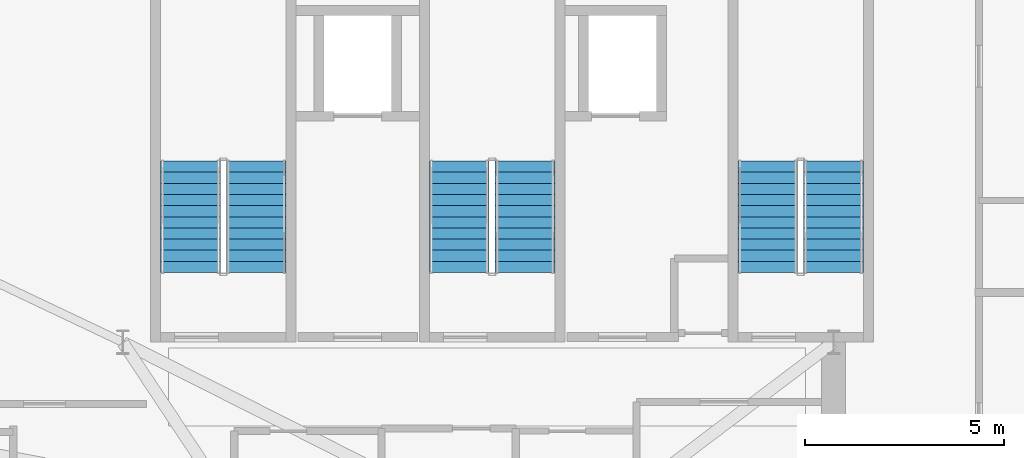
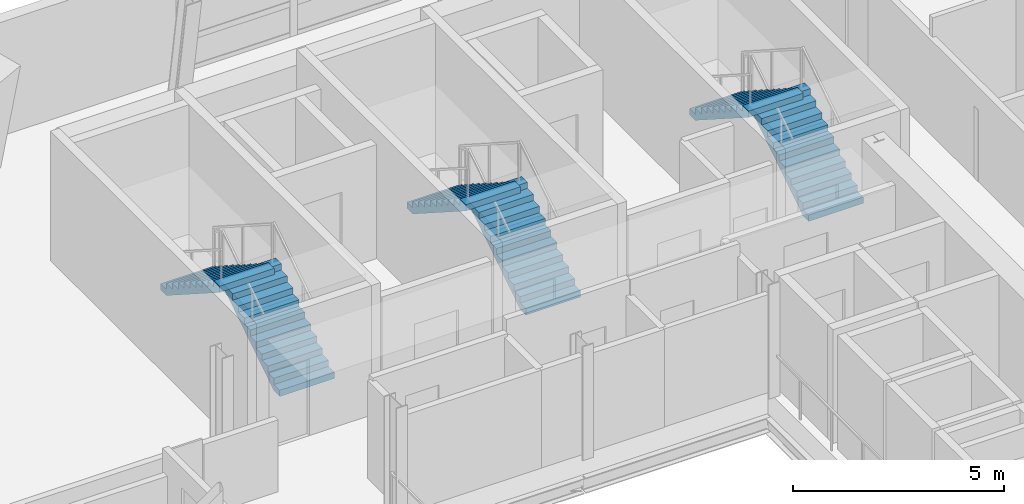
# One storey, part 10 of 13: 6 stair flights, 3 elements without a shape of their own.
"""IFC4 building model written with IfcOpenShell, lengths in metres."""

from ifc_helpers import new_model, si_unit, direction, frame, origin, place, context, subcontext, project, spatial, polyline, outline, extrude, source, transform, mapped, material, type_object, element, aggregate, save


model = new_model("IFC4")

# Units and contexts
model_context = context("Model", 3, precision=1e-05, world=origin(), true_north=direction((0.0, 1.0)))
body_context = subcontext(model_context, "Body", "Model", "MODEL_VIEW")
ifc_project = project(units=[si_unit("LENGTHUNIT", "METRE"), si_unit("AREAUNIT", "SQUARE_METRE"), si_unit("VOLUMEUNIT", "CUBIC_METRE"), si_unit("PLANEANGLEUNIT", "RADIAN"), si_unit("MASSUNIT", "GRAM", prefix="KILO")], contexts=[model_context])

# Site, building, storey
site_placement = place(None, origin())
site = spatial("IfcSite", under=ifc_project, at=site_placement, CompositionType="ELEMENT")
building_placement = place(site_placement, origin())
building = spatial("IfcBuilding", under=site, at=building_placement, Name="Vardaveli Station Tower", CompositionType="ELEMENT")
storey_placement = place(building_placement, frame((0.0, 0.0, 278.25)))
storey = spatial("IfcBuildingStorey", under=building, at=storey_placement, Name="L71", CompositionType="ELEMENT", Elevation=278.25)

# Stair, stair flights
ifc_material = material(Name="Concrete C40/50", Category="concrete")
stair_type = type_object("IfcStairType", Name="STR-CORE-1500", PredefinedType="HALF_TURN_STAIR", material=ifc_material)
stair_1_placement = place(storey_placement, origin())
stair_1 = element("IfcStair", 1, at=stair_1_placement, inside=storey, type_object=stair_type, Name="L71 ST-1", PredefinedType="HALF_TURN_STAIR")
stair_flight_type = type_object("IfcStairFlightType", Name="SFL-CORE-1500", PredefinedType="STRAIGHT", material=ifc_material)
shared_shape = source(origin(), body_context, "Body", "SweptSolid", [
    extrude(outline(polyline([(0.0, 0.0), (0.0, 0.179443359375), (0.280029296875, 0.179443359375), (0.280029296875, 0.359130859375), (0.56005859375, 0.359130859375), (0.56005859375, 0.53857421875), (0.840087890625, 0.53857421875), (0.840087890625, 0.71826171875), (1.1201171875, 0.71826171875), (1.1201171875, 0.897705078125), (1.39990234375, 0.897705078125), (1.39990234375, 1.077392578125), (1.679931640625, 1.077392578125), (1.679931640625, 1.2568359375), (1.9599609375, 1.2568359375), (1.9599609375, 1.436279296875), (2.239990234375, 1.436279296875), (2.239990234375, 1.615966796875), (2.52001953125, 1.615966796875), (2.52001953125, 1.79541015625), (2.800048828125, 1.79541015625), (2.800048828125, 1.97509765625), (2.800048828125, 1.617431640625), (0.277587890625, 0.0), (0.0, 0.0)])), frame((0.0, 0.75, 0.0), z_axis=(0.0, -1.0, 0.0), x_axis=(1.0, 0.0, 0.0)), (0.0, 0.0, 1.0), 1.5),
])
stair_flight_1_placement = place(storey_placement, frame((32.0, 32.39990234375, 0.0), z_axis=(0.0, 0.0, 1.0), x_axis=(0.0, 1.0, 0.0)))
stair_flight_1 = element("IfcStairFlight", 2, at=stair_flight_1_placement, type_object=stair_flight_type, Name="ST-1 flight 1", NumberOfRisers=11, NumberOfTreads=10, PredefinedType="STRAIGHT", RiserHeight=0.179545455, TreadLength=0.28, context=body_context, shape_type="MappedRepresentation", body=[
    mapped(shared_shape, transform((0.0, 0.0, 0.0), scale=1.0)),
])
stair_flight_2_placement = place(storey_placement, frame((30.35009765625, 35.199951171875, 1.97509765625), z_axis=(0.0, 0.0, 1.0), x_axis=(0.0, -1.0, 0.0)))
stair_flight_2 = element("IfcStairFlight", 3, at=stair_flight_2_placement, type_object=stair_flight_type, Name="ST-1 flight 2", NumberOfRisers=11, NumberOfTreads=10, PredefinedType="STRAIGHT", RiserHeight=0.179545455, TreadLength=0.28, context=body_context, shape_type="MappedRepresentation", body=[
    mapped(shared_shape, transform((0.0, 0.0, 0.0), scale=1.0)),
])
aggregate(stair_1, [stair_flight_1, stair_flight_2])

stair_2_placement = place(storey_placement, origin())
stair_2 = element("IfcStair", 4, at=stair_2_placement, inside=storey, type_object=stair_type, Name="L71 ST-2", PredefinedType="HALF_TURN_STAIR")
stair_flight_3_placement = place(storey_placement, frame((38.75, 32.39990234375, 0.0), z_axis=(0.0, 0.0, 1.0), x_axis=(0.0, 1.0, 0.0)))
stair_flight_3 = element("IfcStairFlight", 5, at=stair_flight_3_placement, type_object=stair_flight_type, Name="ST-2 flight 1", NumberOfRisers=11, NumberOfTreads=10, PredefinedType="STRAIGHT", RiserHeight=0.179545455, TreadLength=0.28, context=body_context, shape_type="MappedRepresentation", body=[
    mapped(shared_shape, transform((0.0, 0.0, 0.0), scale=1.0)),
])
stair_flight_4_placement = place(storey_placement, frame((37.10009765625, 35.199951171875, 1.97509765625), z_axis=(0.0, 0.0, 1.0), x_axis=(0.0, -1.0, 0.0)))
stair_flight_4 = element("IfcStairFlight", 6, at=stair_flight_4_placement, type_object=stair_flight_type, Name="ST-2 flight 2", NumberOfRisers=11, NumberOfTreads=10, PredefinedType="STRAIGHT", RiserHeight=0.179545455, TreadLength=0.28, context=body_context, shape_type="MappedRepresentation", body=[
    mapped(shared_shape, transform((0.0, 0.0, 0.0), scale=1.0)),
])
aggregate(stair_2, [stair_flight_3, stair_flight_4])

stair_3_placement = place(storey_placement, origin())
stair_3 = element("IfcStair", 7, at=stair_3_placement, inside=storey, type_object=stair_type, Name="L71 ST-3", PredefinedType="HALF_TURN_STAIR")
stair_flight_5_placement = place(storey_placement, frame((46.5, 32.39990234375, 0.0), z_axis=(0.0, 0.0, 1.0), x_axis=(0.0, 1.0, 0.0)))
stair_flight_5 = element("IfcStairFlight", 8, at=stair_flight_5_placement, type_object=stair_flight_type, Name="ST-3 flight 1", NumberOfRisers=11, NumberOfTreads=10, PredefinedType="STRAIGHT", RiserHeight=0.179545455, TreadLength=0.28, context=body_context, shape_type="MappedRepresentation", body=[
    mapped(shared_shape, transform((0.0, 0.0, 0.0), scale=1.0)),
])
stair_flight_6_placement = place(storey_placement, frame((44.85009765625, 35.199951171875, 1.97509765625), z_axis=(0.0, 0.0, 1.0), x_axis=(0.0, -1.0, 0.0)))
stair_flight_6 = element("IfcStairFlight", 9, at=stair_flight_6_placement, type_object=stair_flight_type, Name="ST-3 flight 2", NumberOfRisers=11, NumberOfTreads=10, PredefinedType="STRAIGHT", RiserHeight=0.179545455, TreadLength=0.28, context=body_context, shape_type="MappedRepresentation", body=[
    mapped(shared_shape, transform((0.0, 0.0, 0.0), scale=1.0)),
])
aggregate(stair_3, [stair_flight_5, stair_flight_6])

save(model, "model.ifc")
